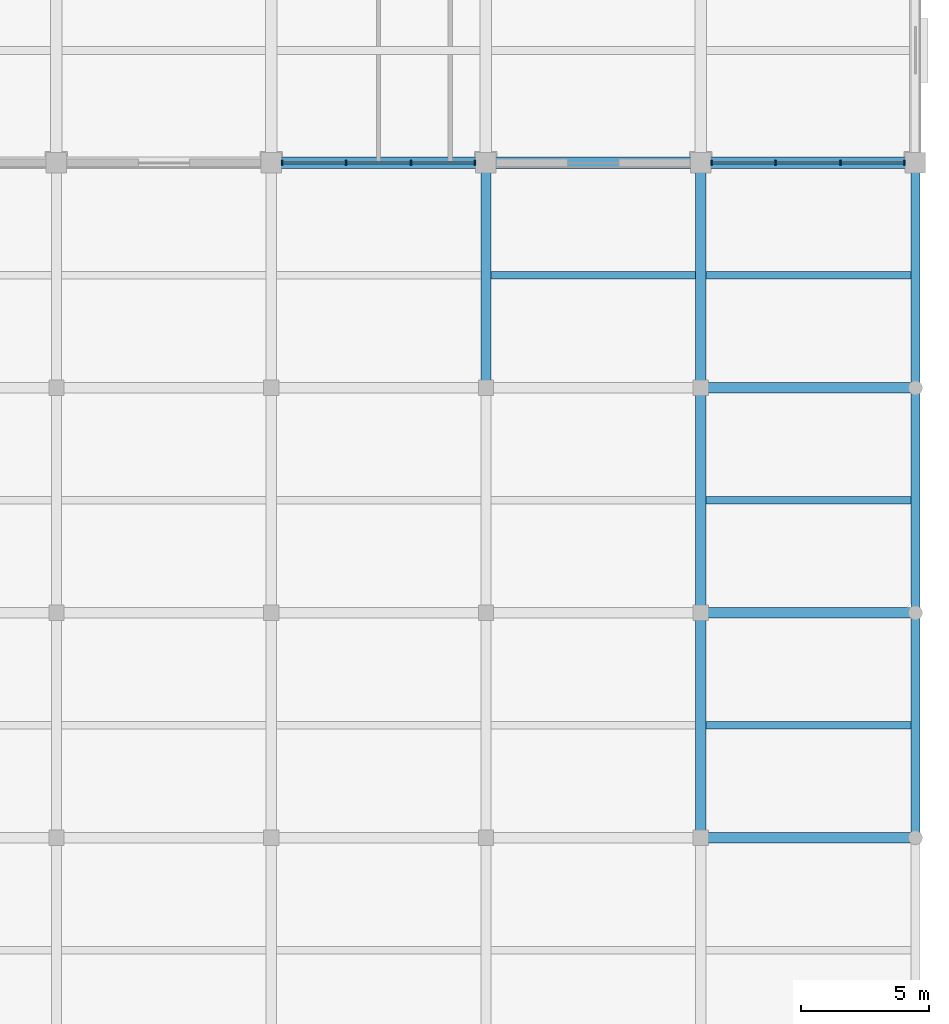
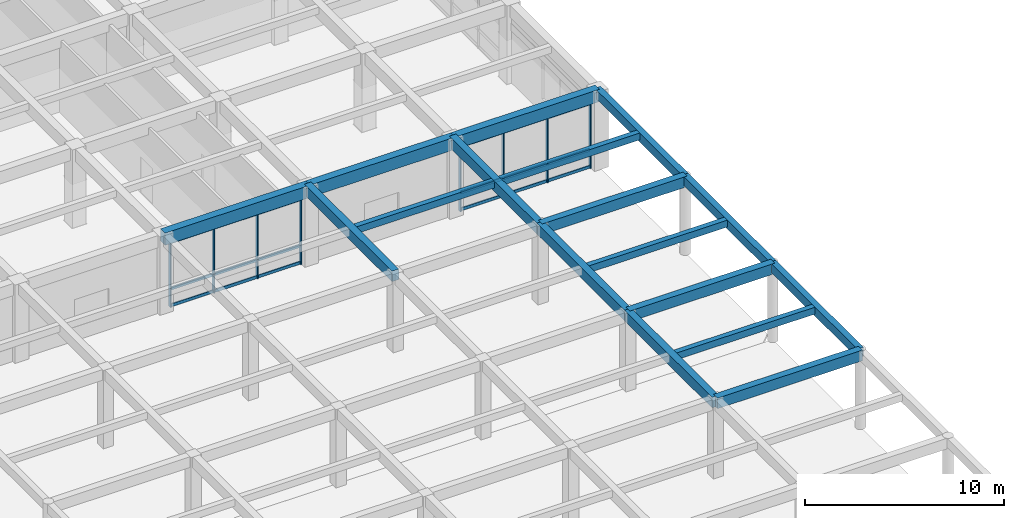
# One storey, part 21 of 58: 26 members, 17 beams, 2 elements without a shape of their own.
"""IFC4 building model written with IfcOpenShell, lengths in metres."""

from ifc_helpers import new_model, si_unit, direction, frame, origin, origin_2d, place, context, subcontext, project, spatial, rectangle, extrude, material, material_profile, profile_set, type_object, element, aggregate, save


model = new_model("IFC4")

# Units and contexts
model_context = context("Model", 3, precision=1e-05, world=origin(), true_north=direction((0.0, 1.0)))
body_context = subcontext(model_context, "Body", "Model", "MODEL_VIEW")
ifc_project = project(units=[si_unit("LENGTHUNIT", "METRE"), si_unit("AREAUNIT", "SQUARE_METRE"), si_unit("VOLUMEUNIT", "CUBIC_METRE"), si_unit("PLANEANGLEUNIT", "RADIAN"), si_unit("MASSUNIT", "GRAM", prefix="KILO")], contexts=[model_context])

# Site, building, storey
site_placement = place(None, origin())
site = spatial("IfcSite", under=ifc_project, at=site_placement, CompositionType="ELEMENT")
building_placement = place(site_placement, origin())
building = spatial("IfcBuilding", under=site, at=building_placement, Name="Kemercrest Conservatory and Botanical Centre", CompositionType="ELEMENT")
storey_placement = place(building_placement, origin())
storey = spatial("IfcBuildingStorey", under=building, at=storey_placement, Name="L00", CompositionType="ELEMENT", Elevation=0.0)

# Beams
ifc_material_1 = material(Name="Concrete C40/50", Category="concrete")
ifc_material_profile_1 = material_profile(ifc_material_1, rectangle(XDim=0.39990234375, YDim=0.64990234375, at=origin_2d()), Name="RC 400x650")
ifc_profile_set_1 = profile_set([ifc_material_profile_1], Name="Concrete C40/50")
beam_type_1 = type_object("IfcBeamType", Name="BM-RC65", PredefinedType="BEAM", material=ifc_profile_set_1)
for number, where, z_axis, x_axis, name in (
    (1, (167.60009765625, 43.199951171875, 4.47509765625), (1.0, 0.0, 0.0), (0.0, 1.0, 0.0), "V4SECOL beam BM-RC65 E/20-21"),
    (2, (167.60009765625, 52.0, 4.47509765625), (1.0, 0.0, 0.0), (0.0, 1.0, 0.0), "V4SECOL beam BM-RC65 F/20-21"),
    (3, (167.60009765625, 60.800048828125, 4.47509765625), (1.0, 0.0, 0.0), (0.0, 1.0, 0.0), "V4SECOL beam BM-RC65 G/20-21"),
):
    element("IfcBeam", number, at=place(storey_placement, frame(where, z_axis=z_axis, x_axis=x_axis)), inside=storey, type_object=beam_type_1, Name=name, PredefinedType="BEAM", context=body_context, shape_type="SweptSolid", body=[
        extrude(rectangle(XDim=0.39990234375, YDim=0.64990234375, at=origin_2d()), origin(), (0.0, 0.0, 1.0), 8.39990234375),
    ])
for number, where, z_axis, x_axis, name in (
    (4, (159.199951171875, 60.800048828125, 4.47509765625), (0.0, 1.0, 0.0), (-1.0, 0.0, 0.0), "V4SECOL beam BM-RC65 19/G-H"),
    (5, (167.60009765625, 43.199951171875, 4.47509765625), (0.0, 1.0, 0.0), (-1.0, 0.0, 0.0), "V4SECOL beam BM-RC65 20/E-F"),
    (6, (167.60009765625, 52.0, 4.47509765625), (0.0, 1.0, 0.0), (-1.0, 0.0, 0.0), "V4SECOL beam BM-RC65 20/F-G"),
    (7, (167.60009765625, 60.800048828125, 4.47509765625), (0.0, 1.0, 0.0), (-1.0, 0.0, 0.0), "V4SECOL beam BM-RC65 20/G-H"),
):
    element("IfcBeam", number, at=place(storey_placement, frame(where, z_axis=z_axis, x_axis=x_axis)), inside=storey, type_object=beam_type_1, Name=name, PredefinedType="BEAM", context=body_context, shape_type="SweptSolid", body=[
        extrude(rectangle(XDim=0.39990234375, YDim=0.64990234375, at=origin_2d()), origin(), (0.0, 0.0, 1.0), 8.800048828125),
    ])

# Curtain wall, members
ifc_material_2 = material(Name="Thermally broken aluminium and triple low-e glazing", Category="aluminium")
curtain_wall_type_1 = type_object("IfcCurtainWallType", Name="CW-13", PredefinedType="USERDEFINED", material=ifc_material_2)
curtain_wall_1_placement = place(storey_placement, origin())
curtain_wall_1 = element("IfcCurtainWall", 8, at=curtain_wall_1_placement, inside=storey, type_object=curtain_wall_type_1, Name="Unitised curtain wall CW-13 (CW:L00:V4-042)", ObjectType="UNITISED CURTAIN WALL", PredefinedType="USERDEFINED")
ifc_material_3 = material(Name="Thermally broken anodized aluminium 6063-T6", Category="aluminium")
ifc_material_profile_2 = material_profile(ifc_material_3, rectangle(XDim=0.199951171875, YDim=0.06494140625, at=origin_2d()), Name="AL MULLION 65x200")
ifc_profile_set_2 = profile_set([ifc_material_profile_2], Name="Thermally broken anodized aluminium 6063-T6")
member_type_1 = type_object("IfcMemberType", Name="CW-M200", PredefinedType="MULLION", material=ifc_profile_set_2)
member_1_placement = place(storey_placement, frame((151.2275390625, 69.60009765625, 0.0), z_axis=(0.0, 0.0, 1.0), x_axis=(0.0, 1.0, 0.0)))
member_1 = element("IfcMember", 9, at=member_1_placement, type_object=member_type_1, Name="CW-13 mullion 1", PredefinedType="MULLION", context=body_context, shape_type="SweptSolid", body=[
    extrude(rectangle(XDim=0.199951171875, YDim=0.06494140625, at=origin_2d()), origin(), (0.0, 0.0, 1.0), 4.054931640625),
])
member_2_placement = place(storey_placement, frame((153.731689453125, 69.60009765625, 0.0), z_axis=(0.0, 0.0, 1.0), x_axis=(0.0, 1.0, 0.0)))
member_2 = element("IfcMember", 10, at=member_2_placement, type_object=member_type_1, Name="CW-13 mullion 2", PredefinedType="MULLION", context=body_context, shape_type="SweptSolid", body=[
    extrude(rectangle(XDim=0.199951171875, YDim=0.06494140625, at=origin_2d()), origin(), (0.0, 0.0, 1.0), 4.054931640625),
])
member_3_placement = place(storey_placement, frame((156.268310546875, 69.60009765625, 0.0), z_axis=(0.0, 0.0, 1.0), x_axis=(0.0, 1.0, 0.0)))
member_3 = element("IfcMember", 11, at=member_3_placement, type_object=member_type_1, Name="CW-13 mullion 3", PredefinedType="MULLION", context=body_context, shape_type="SweptSolid", body=[
    extrude(rectangle(XDim=0.199951171875, YDim=0.06494140625, at=origin_2d()), origin(), (0.0, 0.0, 1.0), 4.054931640625),
])
member_4_placement = place(storey_placement, frame((158.7724609375, 69.60009765625, 0.0), z_axis=(0.0, 0.0, 1.0), x_axis=(0.0, 1.0, 0.0)))
member_4 = element("IfcMember", 12, at=member_4_placement, type_object=member_type_1, Name="CW-13 mullion 4", PredefinedType="MULLION", context=body_context, shape_type="SweptSolid", body=[
    extrude(rectangle(XDim=0.199951171875, YDim=0.06494140625, at=origin_2d()), origin(), (0.0, 0.0, 1.0), 4.054931640625),
])

curtain_wall_type_2 = type_object("IfcCurtainWallType", Name="CW-14", PredefinedType="USERDEFINED", material=ifc_material_2)
curtain_wall_2_placement = place(storey_placement, origin())
curtain_wall_2 = element("IfcCurtainWall", 13, at=curtain_wall_2_placement, inside=storey, type_object=curtain_wall_type_2, Name="Unitised curtain wall CW-14 (CW:L00:V4-043)", ObjectType="UNITISED CURTAIN WALL", PredefinedType="USERDEFINED")
member_5_placement = place(storey_placement, frame((168.027587890625, 69.60009765625, 0.0), z_axis=(0.0, 0.0, 1.0), x_axis=(0.0, 1.0, 0.0)))
member_5 = element("IfcMember", 14, at=member_5_placement, type_object=member_type_1, Name="CW-14 mullion 1", PredefinedType="MULLION", context=body_context, shape_type="SweptSolid", body=[
    extrude(rectangle(XDim=0.199951171875, YDim=0.06494140625, at=origin_2d()), origin(), (0.0, 0.0, 1.0), 4.054931640625),
])
member_6_placement = place(storey_placement, frame((170.53173828125, 69.60009765625, 0.0), z_axis=(0.0, 0.0, 1.0), x_axis=(0.0, 1.0, 0.0)))
member_6 = element("IfcMember", 15, at=member_6_placement, type_object=member_type_1, Name="CW-14 mullion 2", PredefinedType="MULLION", context=body_context, shape_type="SweptSolid", body=[
    extrude(rectangle(XDim=0.199951171875, YDim=0.06494140625, at=origin_2d()), origin(), (0.0, 0.0, 1.0), 4.054931640625),
])
member_7_placement = place(storey_placement, frame((173.068359375, 69.60009765625, 0.0), z_axis=(0.0, 0.0, 1.0), x_axis=(0.0, 1.0, 0.0)))
member_7 = element("IfcMember", 16, at=member_7_placement, type_object=member_type_1, Name="CW-14 mullion 3", PredefinedType="MULLION", context=body_context, shape_type="SweptSolid", body=[
    extrude(rectangle(XDim=0.199951171875, YDim=0.06494140625, at=origin_2d()), origin(), (0.0, 0.0, 1.0), 4.054931640625),
])
member_8_placement = place(storey_placement, frame((175.572509765625, 69.60009765625, 0.0), z_axis=(0.0, 0.0, 1.0), x_axis=(0.0, 1.0, 0.0)))
member_8 = element("IfcMember", 17, at=member_8_placement, type_object=member_type_1, Name="CW-14 mullion 4", PredefinedType="MULLION", context=body_context, shape_type="SweptSolid", body=[
    extrude(rectangle(XDim=0.199951171875, YDim=0.06494140625, at=origin_2d()), origin(), (0.0, 0.0, 1.0), 4.054931640625),
])

# Member
ifc_material_profile_3 = material_profile(ifc_material_3, rectangle(XDim=0.074951171875, YDim=0.179931640625, at=origin_2d()), Name="AL TRANSOM 75x180")
ifc_profile_set_3 = profile_set([ifc_material_profile_3], Name="Thermally broken anodized aluminium 6063-T6")
member_type_2 = type_object("IfcMemberType", Name="CW-T180", PredefinedType="USERDEFINED", material=ifc_profile_set_3)
member_9_placement = place(storey_placement, frame((151.260009765625, 69.60009765625, 0.090087890625), z_axis=(1.0, 0.0, 0.0), x_axis=(0.0, 1.0, 0.0)))
member_9 = element("IfcMember", 18, at=member_9_placement, type_object=member_type_2, Name="CW-13 transom 1.1", ObjectType="TRANSOM", PredefinedType="USERDEFINED", context=body_context, shape_type="SweptSolid", body=[
    extrude(rectangle(XDim=0.074951171875, YDim=0.179931640625, at=origin_2d()), origin(), (0.0, 0.0, 1.0), 2.439208984375),
])

member_10_placement = place(storey_placement, frame((151.260009765625, 69.60009765625, 1.1201171875), z_axis=(1.0, 0.0, 0.0), x_axis=(0.0, 1.0, 0.0)))
member_10 = element("IfcMember", 19, at=member_10_placement, type_object=member_type_2, Name="CW-13 transom 1.2", ObjectType="TRANSOM", PredefinedType="USERDEFINED", context=body_context, shape_type="SweptSolid", body=[
    extrude(rectangle(XDim=0.074951171875, YDim=0.179931640625, at=origin_2d()), origin(), (0.0, 0.0, 1.0), 2.439208984375),
])

member_11_placement = place(storey_placement, frame((151.260009765625, 69.60009765625, 3.965087890625), z_axis=(1.0, 0.0, 0.0), x_axis=(0.0, 1.0, 0.0)))
member_11 = element("IfcMember", 20, at=member_11_placement, type_object=member_type_2, Name="CW-13 transom 1.3", ObjectType="TRANSOM", PredefinedType="USERDEFINED", context=body_context, shape_type="SweptSolid", body=[
    extrude(rectangle(XDim=0.074951171875, YDim=0.179931640625, at=origin_2d()), origin(), (0.0, 0.0, 1.0), 2.439208984375),
])

member_12_placement = place(storey_placement, frame((153.76416015625, 69.60009765625, 0.090087890625), z_axis=(1.0, 0.0, 0.0), x_axis=(0.0, 1.0, 0.0)))
member_12 = element("IfcMember", 21, at=member_12_placement, type_object=member_type_2, Name="CW-13 transom 2.1", ObjectType="TRANSOM", PredefinedType="USERDEFINED", context=body_context, shape_type="SweptSolid", body=[
    extrude(rectangle(XDim=0.074951171875, YDim=0.179931640625, at=origin_2d()), origin(), (0.0, 0.0, 1.0), 2.4716796875),
])

member_13_placement = place(storey_placement, frame((153.76416015625, 69.60009765625, 1.1201171875), z_axis=(1.0, 0.0, 0.0), x_axis=(0.0, 1.0, 0.0)))
member_13 = element("IfcMember", 22, at=member_13_placement, type_object=member_type_2, Name="CW-13 transom 2.2", ObjectType="TRANSOM", PredefinedType="USERDEFINED", context=body_context, shape_type="SweptSolid", body=[
    extrude(rectangle(XDim=0.074951171875, YDim=0.179931640625, at=origin_2d()), origin(), (0.0, 0.0, 1.0), 2.4716796875),
])

member_14_placement = place(storey_placement, frame((153.76416015625, 69.60009765625, 3.965087890625), z_axis=(1.0, 0.0, 0.0), x_axis=(0.0, 1.0, 0.0)))
member_14 = element("IfcMember", 23, at=member_14_placement, type_object=member_type_2, Name="CW-13 transom 2.3", ObjectType="TRANSOM", PredefinedType="USERDEFINED", context=body_context, shape_type="SweptSolid", body=[
    extrude(rectangle(XDim=0.074951171875, YDim=0.179931640625, at=origin_2d()), origin(), (0.0, 0.0, 1.0), 2.4716796875),
])

member_15_placement = place(storey_placement, frame((156.30078125, 69.60009765625, 0.090087890625), z_axis=(1.0, 0.0, 0.0), x_axis=(0.0, 1.0, 0.0)))
member_15 = element("IfcMember", 24, at=member_15_placement, type_object=member_type_2, Name="CW-13 transom 3.1", ObjectType="TRANSOM", PredefinedType="USERDEFINED", context=body_context, shape_type="SweptSolid", body=[
    extrude(rectangle(XDim=0.074951171875, YDim=0.179931640625, at=origin_2d()), origin(), (0.0, 0.0, 1.0), 2.439208984375),
])

member_16_placement = place(storey_placement, frame((156.30078125, 69.60009765625, 1.1201171875), z_axis=(1.0, 0.0, 0.0), x_axis=(0.0, 1.0, 0.0)))
member_16 = element("IfcMember", 25, at=member_16_placement, type_object=member_type_2, Name="CW-13 transom 3.2", ObjectType="TRANSOM", PredefinedType="USERDEFINED", context=body_context, shape_type="SweptSolid", body=[
    extrude(rectangle(XDim=0.074951171875, YDim=0.179931640625, at=origin_2d()), origin(), (0.0, 0.0, 1.0), 2.439208984375),
])

member_17_placement = place(storey_placement, frame((156.30078125, 69.60009765625, 3.965087890625), z_axis=(1.0, 0.0, 0.0), x_axis=(0.0, 1.0, 0.0)))
member_17 = element("IfcMember", 26, at=member_17_placement, type_object=member_type_2, Name="CW-13 transom 3.3", ObjectType="TRANSOM", PredefinedType="USERDEFINED", context=body_context, shape_type="SweptSolid", body=[
    extrude(rectangle(XDim=0.074951171875, YDim=0.179931640625, at=origin_2d()), origin(), (0.0, 0.0, 1.0), 2.439208984375),
])

aggregate(curtain_wall_1, [member_1, member_2, member_3, member_4, member_9, member_10, member_11, member_12, member_13, member_14, member_15, member_16, member_17])

member_18_placement = place(storey_placement, frame((168.06005859375, 69.60009765625, 0.090087890625), z_axis=(1.0, 0.0, 0.0), x_axis=(0.0, 1.0, 0.0)))
member_18 = element("IfcMember", 27, at=member_18_placement, type_object=member_type_2, Name="CW-14 transom 1.1", ObjectType="TRANSOM", PredefinedType="USERDEFINED", context=body_context, shape_type="SweptSolid", body=[
    extrude(rectangle(XDim=0.074951171875, YDim=0.179931640625, at=origin_2d()), origin(), (0.0, 0.0, 1.0), 2.439208984375),
])

member_19_placement = place(storey_placement, frame((168.06005859375, 69.60009765625, 1.1201171875), z_axis=(1.0, 0.0, 0.0), x_axis=(0.0, 1.0, 0.0)))
member_19 = element("IfcMember", 28, at=member_19_placement, type_object=member_type_2, Name="CW-14 transom 1.2", ObjectType="TRANSOM", PredefinedType="USERDEFINED", context=body_context, shape_type="SweptSolid", body=[
    extrude(rectangle(XDim=0.074951171875, YDim=0.179931640625, at=origin_2d()), origin(), (0.0, 0.0, 1.0), 2.439208984375),
])

member_20_placement = place(storey_placement, frame((168.06005859375, 69.60009765625, 3.965087890625), z_axis=(1.0, 0.0, 0.0), x_axis=(0.0, 1.0, 0.0)))
member_20 = element("IfcMember", 29, at=member_20_placement, type_object=member_type_2, Name="CW-14 transom 1.3", ObjectType="TRANSOM", PredefinedType="USERDEFINED", context=body_context, shape_type="SweptSolid", body=[
    extrude(rectangle(XDim=0.074951171875, YDim=0.179931640625, at=origin_2d()), origin(), (0.0, 0.0, 1.0), 2.439208984375),
])

member_21_placement = place(storey_placement, frame((170.564208984375, 69.60009765625, 0.090087890625), z_axis=(1.0, 0.0, 0.0), x_axis=(0.0, 1.0, 0.0)))
member_21 = element("IfcMember", 30, at=member_21_placement, type_object=member_type_2, Name="CW-14 transom 2.1", ObjectType="TRANSOM", PredefinedType="USERDEFINED", context=body_context, shape_type="SweptSolid", body=[
    extrude(rectangle(XDim=0.074951171875, YDim=0.179931640625, at=origin_2d()), origin(), (0.0, 0.0, 1.0), 2.4716796875),
])

member_22_placement = place(storey_placement, frame((170.564208984375, 69.60009765625, 1.1201171875), z_axis=(1.0, 0.0, 0.0), x_axis=(0.0, 1.0, 0.0)))
member_22 = element("IfcMember", 31, at=member_22_placement, type_object=member_type_2, Name="CW-14 transom 2.2", ObjectType="TRANSOM", PredefinedType="USERDEFINED", context=body_context, shape_type="SweptSolid", body=[
    extrude(rectangle(XDim=0.074951171875, YDim=0.179931640625, at=origin_2d()), origin(), (0.0, 0.0, 1.0), 2.4716796875),
])

member_23_placement = place(storey_placement, frame((170.564208984375, 69.60009765625, 3.965087890625), z_axis=(1.0, 0.0, 0.0), x_axis=(0.0, 1.0, 0.0)))
member_23 = element("IfcMember", 32, at=member_23_placement, type_object=member_type_2, Name="CW-14 transom 2.3", ObjectType="TRANSOM", PredefinedType="USERDEFINED", context=body_context, shape_type="SweptSolid", body=[
    extrude(rectangle(XDim=0.074951171875, YDim=0.179931640625, at=origin_2d()), origin(), (0.0, 0.0, 1.0), 2.4716796875),
])

member_24_placement = place(storey_placement, frame((173.100830078125, 69.60009765625, 0.090087890625), z_axis=(1.0, 0.0, 0.0), x_axis=(0.0, 1.0, 0.0)))
member_24 = element("IfcMember", 33, at=member_24_placement, type_object=member_type_2, Name="CW-14 transom 3.1", ObjectType="TRANSOM", PredefinedType="USERDEFINED", context=body_context, shape_type="SweptSolid", body=[
    extrude(rectangle(XDim=0.074951171875, YDim=0.179931640625, at=origin_2d()), origin(), (0.0, 0.0, 1.0), 2.439208984375),
])

member_25_placement = place(storey_placement, frame((173.100830078125, 69.60009765625, 1.1201171875), z_axis=(1.0, 0.0, 0.0), x_axis=(0.0, 1.0, 0.0)))
member_25 = element("IfcMember", 34, at=member_25_placement, type_object=member_type_2, Name="CW-14 transom 3.2", ObjectType="TRANSOM", PredefinedType="USERDEFINED", context=body_context, shape_type="SweptSolid", body=[
    extrude(rectangle(XDim=0.074951171875, YDim=0.179931640625, at=origin_2d()), origin(), (0.0, 0.0, 1.0), 2.439208984375),
])

member_26_placement = place(storey_placement, frame((173.100830078125, 69.60009765625, 3.965087890625), z_axis=(1.0, 0.0, 0.0), x_axis=(0.0, 1.0, 0.0)))
member_26 = element("IfcMember", 35, at=member_26_placement, type_object=member_type_2, Name="CW-14 transom 3.3", ObjectType="TRANSOM", PredefinedType="USERDEFINED", context=body_context, shape_type="SweptSolid", body=[
    extrude(rectangle(XDim=0.074951171875, YDim=0.179931640625, at=origin_2d()), origin(), (0.0, 0.0, 1.0), 2.439208984375),
])

aggregate(curtain_wall_2, [member_5, member_6, member_7, member_8, member_18, member_19, member_20, member_21, member_22, member_23, member_24, member_25, member_26])

# Beams
ifc_material_profile_4 = material_profile(ifc_material_1, rectangle(XDim=0.300048828125, YDim=0.419921875, at=origin_2d()), Name="RC 300x420")
ifc_profile_set_4 = profile_set([ifc_material_profile_4], Name="Concrete C40/50")
beam_type_2 = type_object("IfcBeamType", Name="JS-RC42", PredefinedType="JOIST", material=ifc_profile_set_4)
for number, where, z_axis, x_axis, name in (
    (36, (167.800048828125, 47.60009765625, 4.590087890625), (1.0, 0.0, 0.0), (0.0, 1.0, 0.0), "V4SECOL secondary joist JS-RC42"),
    (37, (167.800048828125, 56.39990234375, 4.590087890625), (1.0, 0.0, 0.0), (0.0, 1.0, 0.0), "V4SECOL secondary joist JS-RC42"),
):
    element("IfcBeam", number, at=place(storey_placement, frame(where, z_axis=z_axis, x_axis=x_axis)), inside=storey, type_object=beam_type_2, Name=name, PredefinedType="JOIST", context=body_context, shape_type="SweptSolid", body=[
        extrude(rectangle(XDim=0.300048828125, YDim=0.419921875, at=origin_2d()), origin(), (0.0, 0.0, 1.0), 8.02490234375),
    ])
beam_1_placement = place(storey_placement, frame((159.39990234375, 65.199951171875, 4.590087890625), z_axis=(1.0, 0.0, 0.0), x_axis=(0.0, 1.0, 0.0)))
element("IfcBeam", 38, at=beam_1_placement, inside=storey, type_object=beam_type_2, Name="V4SECOL secondary joist JS-RC42", PredefinedType="JOIST", context=body_context, shape_type="SweptSolid", body=[
    extrude(rectangle(XDim=0.300048828125, YDim=0.419921875, at=origin_2d()), origin(), (0.0, 0.0, 1.0), 8.0),
])
beam_2_placement = place(storey_placement, frame((167.800048828125, 65.199951171875, 4.590087890625), z_axis=(1.0, 0.0, 0.0), x_axis=(0.0, 1.0, 0.0)))
element("IfcBeam", 39, at=beam_2_placement, inside=storey, type_object=beam_type_2, Name="V4SECOL secondary joist JS-RC42", PredefinedType="JOIST", context=body_context, shape_type="SweptSolid", body=[
    extrude(rectangle(XDim=0.300048828125, YDim=0.419921875, at=origin_2d()), origin(), (0.0, 0.0, 1.0), 8.02490234375),
])
ifc_material_4 = material(Name="Precast concrete C40/50", Category="concrete")
ifc_material_profile_5 = material_profile(ifc_material_4, rectangle(XDim=0.35009765625, YDim=0.550048828125, at=origin_2d()), Name="RC 350x550")
ifc_profile_set_5 = profile_set([ifc_material_profile_5], Name="Precast concrete C40/50")
beam_type_3 = type_object("IfcBeamType", Name="SP-ARC65", PredefinedType="SPANDREL", material=ifc_profile_set_5)
for number, where, z_axis, x_axis, name in (
    (40, (176.0, 43.199951171875, 4.52490234375), (0.0, 1.0, 0.0), (-1.0, 0.0, 0.0), "V4SECOL beam SP-ARC65 21/E-F"),
    (41, (176.0, 52.0, 4.52490234375), (0.0, 1.0, 0.0), (-1.0, 0.0, 0.0), "V4SECOL beam SP-ARC65 21/F-G"),
    (42, (176.0, 60.800048828125, 4.52490234375), (0.0, 1.0, 0.0), (-1.0, 0.0, 0.0), "V4SECOL beam SP-ARC65 21/G-H"),
):
    element("IfcBeam", number, at=place(storey_placement, frame(where, z_axis=z_axis, x_axis=x_axis)), inside=storey, type_object=beam_type_3, Name=name, PredefinedType="SPANDREL", context=body_context, shape_type="SweptSolid", body=[
        extrude(rectangle(XDim=0.35009765625, YDim=0.550048828125, at=origin_2d()), origin(), (0.0, 0.0, 1.0), 8.800048828125),
    ])
ifc_material_profile_6 = material_profile(ifc_material_1, rectangle(XDim=0.449951171875, YDim=0.75, at=origin_2d()), Name="RC 450x750")
ifc_profile_set_6 = profile_set([ifc_material_profile_6], Name="Concrete C40/50")
beam_type_4 = type_object("IfcBeamType", Name="SP-RC75", PredefinedType="SPANDREL", material=ifc_profile_set_6)
beam_3_placement = place(storey_placement, frame((150.800048828125, 69.60009765625, 4.425048828125), z_axis=(1.0, 0.0, 0.0), x_axis=(0.0, 1.0, 0.0)))
element("IfcBeam", 43, at=beam_3_placement, inside=storey, type_object=beam_type_4, Name="V4-L01 beam SP-RC75 H/18-19", PredefinedType="SPANDREL", context=body_context, shape_type="SweptSolid", body=[
    extrude(rectangle(XDim=0.449951171875, YDim=0.75, at=origin_2d()), origin(), (0.0, 0.0, 1.0), 8.39990234375),
])
beam_4_placement = place(storey_placement, frame((159.199951171875, 69.60009765625, 4.425048828125), z_axis=(1.0, 0.0, 0.0), x_axis=(0.0, 1.0, 0.0)))
element("IfcBeam", 44, at=beam_4_placement, inside=storey, type_object=beam_type_4, Name="V4-L01 beam SP-RC75 H/19-20", PredefinedType="SPANDREL", context=body_context, shape_type="SweptSolid", body=[
    extrude(rectangle(XDim=0.449951171875, YDim=0.75, at=origin_2d()), origin(), (0.0, 0.0, 1.0), 8.400146484375),
])
beam_5_placement = place(storey_placement, frame((167.60009765625, 69.60009765625, 4.425048828125), z_axis=(1.0, 0.0, 0.0), x_axis=(0.0, 1.0, 0.0)))
element("IfcBeam", 45, at=beam_5_placement, inside=storey, type_object=beam_type_4, Name="V4-L01 beam SP-RC75 H/20-21", PredefinedType="SPANDREL", context=body_context, shape_type="SweptSolid", body=[
    extrude(rectangle(XDim=0.449951171875, YDim=0.75, at=origin_2d()), origin(), (0.0, 0.0, 1.0), 8.39990234375),
])

save(model, "model.ifc")
